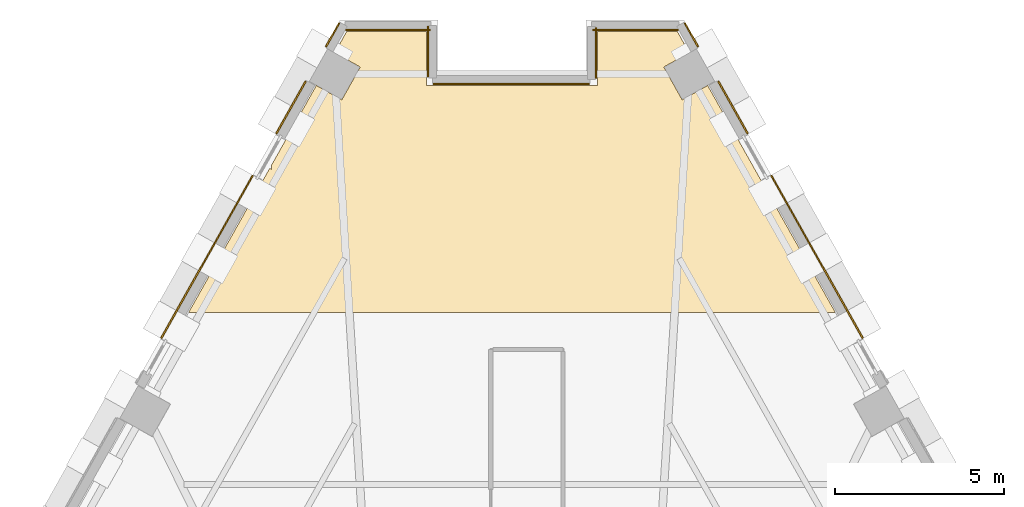
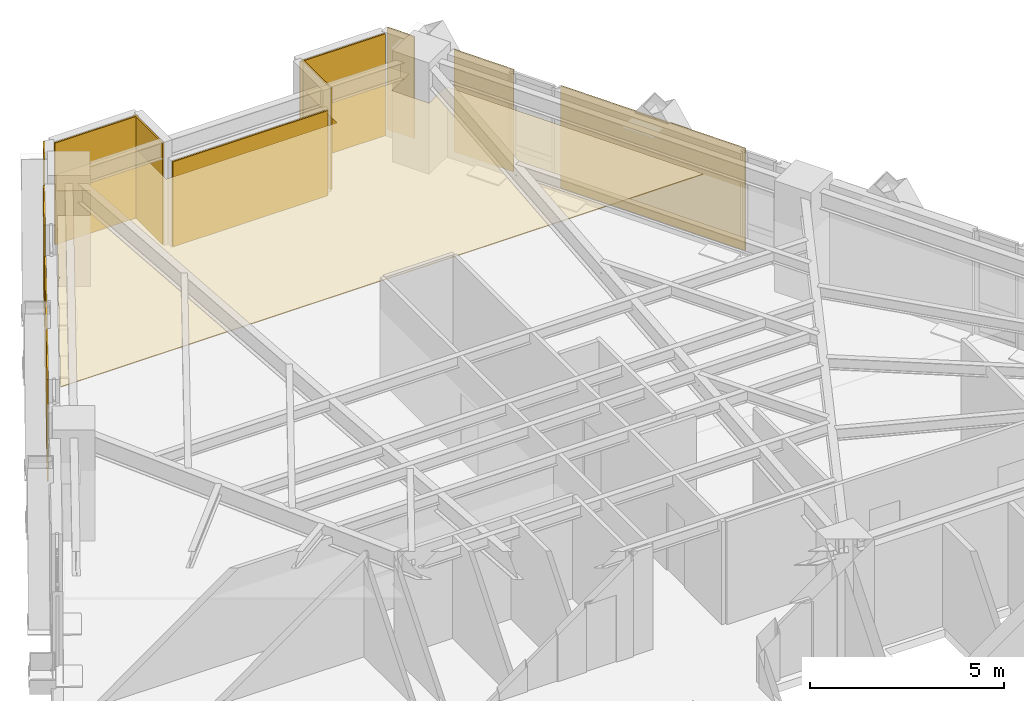
# One storey, part 13 of 13: 12 coverings.
"""IFC4 building model written with IfcOpenShell, lengths in metres."""

from ifc_helpers import new_model, si_unit, direction, frame, origin, place, context, subcontext, project, spatial, polyline, outline, extrude, material, layer, layer_set, type_object, element, save


model = new_model("IFC4")

# Units and contexts
model_context = context("Model", 3, precision=1e-05, world=origin(), true_north=direction((0.0, 1.0)))
body_context = subcontext(model_context, "Body", "Model", "MODEL_VIEW")
ifc_project = project(units=[si_unit("LENGTHUNIT", "METRE"), si_unit("AREAUNIT", "SQUARE_METRE"), si_unit("VOLUMEUNIT", "CUBIC_METRE"), si_unit("PLANEANGLEUNIT", "RADIAN"), si_unit("MASSUNIT", "GRAM", prefix="KILO")], contexts=[model_context])

# Site, building, storey
site_placement = place(None, origin())
site = spatial("IfcSite", under=ifc_project, at=site_placement, CompositionType="ELEMENT")
building_placement = place(site_placement, origin())
building = spatial("IfcBuilding", under=site, at=building_placement, Name="Quenlor Broadcast Tower", CompositionType="ELEMENT")
storey_placement = place(building_placement, frame((0.0, 0.0, 105.5)))
storey = spatial("IfcBuildingStorey", under=building, at=storey_placement, Name="L28", CompositionType="ELEMENT", Elevation=105.5)

# Coverings
ifc_material_1 = material(Name="Acoustic Mineral Fibre Board", Category="other")
ifc_layer_1 = layer(ifc_material_1, 0.02490234375)
ifc_layer_set_1 = layer_set([ifc_layer_1], Name="Acoustic Perforated Mineral Tile Ceiling 25")
covering_type_1 = type_object("IfcCoveringType", Name="Acoustic Perforated Mineral Tile Ceiling 25", PredefinedType="CEILING", material=ifc_layer_set_1)
covering_1_placement = place(storey_placement, frame((0.0, 0.0, 2.22509765625)))
element("IfcCovering", 1, at=covering_1_placement, inside=storey, type_object=covering_type_1, Name="L28 Acoustic Ceiling L28-29-2", PredefinedType="CEILING", context=body_context, shape_type="SweptSolid", body=[
    extrude(outline(polyline([(-7.1865234375, 16.930419921875), (-7.1640625, 16.9150390625), (-7.1435546875, 16.894287109375), (-7.139892578125, 17.01318359375), (-5.805908203125, 19.384765625), (-5.049560546875, 18.959228515625), (-4.50244140625, 19.931884765625), (-5.2587890625, 20.357421875), (-4.904296875, 20.988037109375), (-2.5400390625, 20.988037109375), (-2.5400390625, 19.387939453125), (2.5400390625, 19.387939453125), (2.5400390625, 20.988037109375), (2.909912109375, 20.988037109375), (4.904296875, 20.988037109375), (5.2587890625, 20.357421875), (4.50244140625, 19.931884765625), (5.049560546875, 18.959228515625), (5.805908203125, 19.384765625), (7.78662109375, 15.86376953125), (9.59423828125, 12.64990234375), (-9.59423828125, 12.64990234375), (-7.1865234375, 16.930419921875)])), origin(), (0.0, 0.0, 1.0), 0.02490234375),
])
ifc_material_2 = material(Name="Architectural Terracotta Ceramic", Category="masonry")
ifc_layer_2 = layer(ifc_material_2, 0.044921875)
ifc_layer_set_2 = layer_set([ifc_layer_2], Name="Fluted Terracotta Rainscreen Cladding Panel")
covering_type_2 = type_object("IfcCoveringType", Name="Fluted Terracotta Rainscreen Cladding Panel", PredefinedType="CLADDING", material=ifc_layer_set_2)
covering_2_placement = place(storey_placement, frame((0.0, 0.0, 0.02001953125)))
element("IfcCovering", 2, at=covering_2_placement, inside=storey, type_object=covering_type_2, Name="L28 Terracotta Rainscreen Cladding L28-SHD-NES0", PredefinedType="CLADDING", context=body_context, shape_type="SweptSolid", body=[
    extrude(outline(polyline([(5.105224609375, 21.22607421875), (5.5, 20.524169921875), (5.539306640625, 20.546142578125), (5.144287109375, 21.248046875), (5.105224609375, 21.22607421875)])), origin(), (0.0, 0.0, 1.0), 3.2099609375),
])
covering_3_placement = place(storey_placement, frame((0.0, 0.0, 0.02001953125)))
element("IfcCovering", 3, at=covering_3_placement, inside=storey, type_object=covering_type_2, Name="L28 Terracotta Rainscreen Cladding L28-NEA-SP1", PredefinedType="CLADDING", context=body_context, shape_type="SweptSolid", body=[
    extrude(outline(polyline([(6.10107421875, 19.496826171875), (6.97509765625, 17.9423828125), (7.014404296875, 17.964599609375), (6.14013671875, 19.518798828125), (6.10107421875, 19.496826171875)])), origin(), (0.0, 0.0, 1.0), 3.2099609375),
])
covering_4_placement = place(storey_placement, frame((0.0, 0.0, 0.02001953125)))
element("IfcCovering", 4, at=covering_4_placement, inside=storey, type_object=covering_type_2, Name="L28 Terracotta Rainscreen Cladding L28-NEA-SP2", PredefinedType="CLADDING", context=body_context, shape_type="SweptSolid", body=[
    extrude(outline(polyline([(7.673583984375, 16.700927734375), (10.38818359375, 11.874755859375), (10.427490234375, 11.896728515625), (7.712890625, 16.722900390625), (7.673583984375, 16.700927734375)])), origin(), (0.0, 0.0, 1.0), 3.2099609375),
])
covering_5_placement = place(storey_placement, frame((0.0, 0.0, 0.02001953125)))
element("IfcCovering", 5, at=covering_5_placement, inside=storey, type_object=covering_type_2, Name="L28 Terracotta Rainscreen Cladding L28-SHD-NWS1", PredefinedType="CLADDING", context=body_context, shape_type="SweptSolid", body=[
    extrude(outline(polyline([(-5.5, 20.524169921875), (-5.105224609375, 21.22607421875), (-5.144287109375, 21.248046875), (-5.539306640625, 20.546142578125), (-5.5, 20.524169921875)])), origin(), (0.0, 0.0, 1.0), 3.2099609375),
])
covering_6_placement = place(storey_placement, frame((0.0, 0.0, 0.02001953125)))
element("IfcCovering", 6, at=covering_6_placement, inside=storey, type_object=covering_type_2, Name="L28 Terracotta Rainscreen Cladding L28-NWC-SP2", PredefinedType="CLADDING", context=body_context, shape_type="SweptSolid", body=[
    extrude(outline(polyline([(-10.38818359375, 11.874755859375), (-7.673583984375, 16.700927734375), (-7.712890625, 16.722900390625), (-10.427490234375, 11.896728515625), (-10.38818359375, 11.874755859375)])), origin(), (0.0, 0.0, 1.0), 3.2099609375),
])
covering_7_placement = place(storey_placement, frame((0.0, 0.0, 0.02001953125)))
element("IfcCovering", 7, at=covering_7_placement, inside=storey, type_object=covering_type_2, Name="L28 Terracotta Rainscreen Cladding L28-NWC-SP3", PredefinedType="CLADDING", context=body_context, shape_type="SweptSolid", body=[
    extrude(outline(polyline([(-6.97509765625, 17.9423828125), (-6.10107421875, 19.496826171875), (-6.14013671875, 19.518798828125), (-7.014404296875, 17.964599609375), (-6.97509765625, 17.9423828125)])), origin(), (0.0, 0.0, 1.0), 3.2099609375),
])
covering_8_placement = place(storey_placement, frame((0.0, 0.0, 0.02001953125)))
element("IfcCovering", 8, at=covering_8_placement, inside=storey, type_object=covering_type_2, Name="L28 Terracotta Rainscreen Cladding L28-CNR-06", PredefinedType="CLADDING", context=body_context, shape_type="SweptSolid", body=[
    extrude(outline(polyline([(4.929443359375, 21.055908203125), (2.389892578125, 21.055908203125), (2.389892578125, 21.010986328125), (4.929443359375, 21.010986328125), (4.929443359375, 21.055908203125)])), origin(), (0.0, 0.0, 1.0), 3.2099609375),
])
covering_9_placement = place(storey_placement, frame((0.0, 0.0, 0.02001953125)))
element("IfcCovering", 9, at=covering_9_placement, inside=storey, type_object=covering_type_2, Name="L28 Terracotta Rainscreen Cladding L28-CNR-07", PredefinedType="CLADDING", context=body_context, shape_type="SweptSolid", body=[
    extrude(outline(polyline([(2.471923828125, 21.097900390625), (2.471923828125, 19.597900390625), (2.51708984375, 19.597900390625), (2.51708984375, 21.097900390625), (2.471923828125, 21.097900390625)])), origin(), (0.0, 0.0, 1.0), 3.2099609375),
])
covering_10_placement = place(storey_placement, frame((0.0, 0.0, 0.02001953125)))
element("IfcCovering", 10, at=covering_10_placement, inside=storey, type_object=covering_type_2, Name="L28 Terracotta Rainscreen Cladding L28-CNR-08", PredefinedType="CLADDING", context=body_context, shape_type="SweptSolid", body=[
    extrude(outline(polyline([(2.2900390625, 19.4560546875), (-2.330078125, 19.4560546875), (-2.330078125, 19.410888671875), (2.2900390625, 19.410888671875), (2.2900390625, 19.4560546875)])), origin(), (0.0, 0.0, 1.0), 2.681884765625),
])
covering_11_placement = place(storey_placement, frame((0.0, 0.0, 0.02001953125)))
element("IfcCovering", 11, at=covering_11_placement, inside=storey, type_object=covering_type_2, Name="L28 Terracotta Rainscreen Cladding L28-CNR-09", PredefinedType="CLADDING", context=body_context, shape_type="SweptSolid", body=[
    extrude(outline(polyline([(-2.471923828125, 19.637939453125), (-2.471923828125, 21.137939453125), (-2.51708984375, 21.137939453125), (-2.51708984375, 19.637939453125), (-2.471923828125, 19.637939453125)])), origin(), (0.0, 0.0, 1.0), 3.2099609375),
])
covering_12_placement = place(storey_placement, frame((0.0, 0.0, 0.02001953125)))
element("IfcCovering", 12, at=covering_12_placement, inside=storey, type_object=covering_type_2, Name="L28 Terracotta Rainscreen Cladding L28-CNR-10", PredefinedType="CLADDING", context=body_context, shape_type="SweptSolid", body=[
    extrude(outline(polyline([(-2.429931640625, 21.055908203125), (-4.929443359375, 21.055908203125), (-4.929443359375, 21.010986328125), (-2.429931640625, 21.010986328125), (-2.429931640625, 21.055908203125)])), origin(), (0.0, 0.0, 1.0), 3.2099609375),
])

save(model, "model.ifc")
